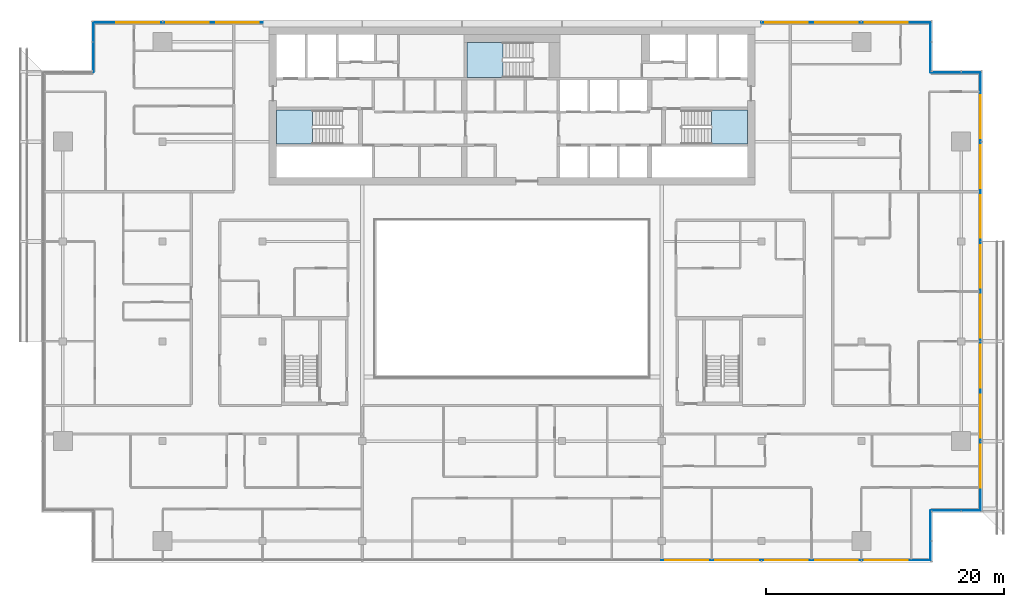
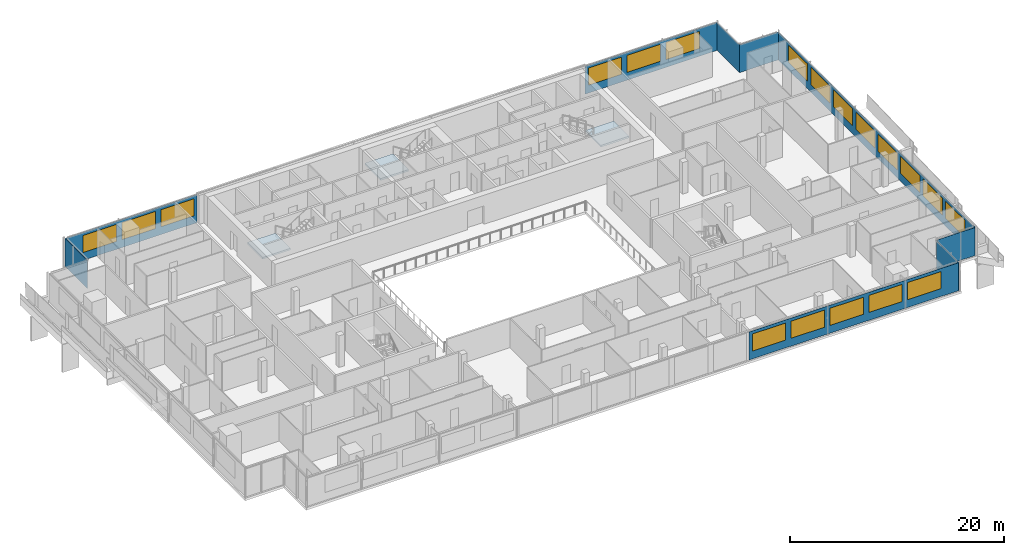
# One storey, part 15 of 28: 19 windows, 9 plates, 3 slabs, 19 openings, 11 elements without a shape of their own.
"""IFC4 building model written with IfcOpenShell, lengths in metres."""

from ifc_helpers import new_model, si_unit, direction, frame, frame_2d, origin, place, context, subcontext, project, spatial, polyline, rectangle, outline, extrude, material, layer, layer_set, type_object, element, fill, aggregate, save


model = new_model("IFC4")

# Units and contexts
model_context = context("Model", 3, precision=1e-05, world=origin(), true_north=direction((0.0, 1.0)))
body_context = subcontext(model_context, "Body", "Model", "MODEL_VIEW")
ifc_project = project(units=[si_unit("LENGTHUNIT", "METRE"), si_unit("AREAUNIT", "SQUARE_METRE"), si_unit("VOLUMEUNIT", "CUBIC_METRE"), si_unit("PLANEANGLEUNIT", "RADIAN"), si_unit("MASSUNIT", "GRAM", prefix="KILO")], contexts=[model_context])

# Site, building, storey
site_placement = place(None, origin())
site = spatial("IfcSite", under=ifc_project, at=site_placement, CompositionType="ELEMENT")
building_placement = place(site_placement, origin())
building = spatial("IfcBuilding", under=site, at=building_placement, Name="Saffron Gate Tower", CompositionType="ELEMENT")
storey_placement = place(building_placement, frame((0.0, 0.0, 241.5)))
storey = spatial("IfcBuildingStorey", under=building, at=storey_placement, Name="L59", CompositionType="ELEMENT", Elevation=241.5)

# Curtain wall, plate, openings, windows
ifc_material_1 = material(Name="Aluminium, bronze anodised", Category="aluminium")
curtain_wall_type_1 = type_object("IfcCurtainWallType", Name="CWS1 curtain wall front facade", PredefinedType="NOTDEFINED", material=ifc_material_1)
curtain_wall_1_placement = place(storey_placement, origin())
curtain_wall_1 = element("IfcCurtainWall", 1, at=curtain_wall_1_placement, inside=storey, type_object=curtain_wall_type_1, Name="CWS1 run 1", PredefinedType="NOTDEFINED")
ifc_material_2 = material(Name="Fritted bronze-tinted laminated glass", Category="glass")
ifc_layer_1 = layer(ifc_material_2, 0.028076171875)
ifc_layer_set_1 = layer_set([ifc_layer_1], Name="CWS1 fixed glass")
plate_type_1 = type_object("IfcPlateType", Name="CWS1 fixed glass", PredefinedType="CURTAIN_PANEL", material=ifc_layer_set_1)
plate_1_placement = place(storey_placement, frame((100.169921875, 30.174072265625, 0.0), z_axis=(0.0, 0.0, 1.0), x_axis=(1.0, 0.0, 0.0)))
plate_1 = element("IfcPlate", 2, at=plate_1_placement, type_object=plate_type_1, Name="CWS1 glass panel", PredefinedType="CURTAIN_PANEL", context=body_context, shape_type="SweptSolid", body=[
    extrude(rectangle(XDim=22.64208984375, YDim=0.028076171875, at=frame_2d((11.321044921875, 0.0))), origin(), (0.0, 0.0, 1.0), 3.199951171875),
])
opening_1_placement = place(plate_1_placement, frame((0.330078125, 0.0, 0.89990234375)))
opening_1 = element("IfcOpeningElement", 3, at=opening_1_placement, cuts=plate_1, Name="Opening W1", PredefinedType="OPENING", context=body_context, shape_type="SweptSolid", body=[
    extrude(rectangle(XDim=3.60009765625, YDim=1.949951171875, at=frame_2d((1.800048828125, 0.97509765625))), frame((0.0, 0.02392578125, 0.0), z_axis=(0.0, -1.0, 0.0), x_axis=(1.0, 0.0, 0.0)), (0.0, 0.0, 1.0), 0.048095703125),
])
opening_2_placement = place(plate_1_placement, frame((4.530029296875, 0.0, 0.89990234375)))
opening_2 = element("IfcOpeningElement", 4, at=opening_2_placement, cuts=plate_1, Name="Opening W1", PredefinedType="OPENING", context=body_context, shape_type="SweptSolid", body=[
    extrude(rectangle(XDim=3.60009765625, YDim=1.949951171875, at=frame_2d((1.800048828125, 0.97509765625))), frame((0.0, 0.02392578125, 0.0), z_axis=(0.0, -1.0, 0.0), x_axis=(1.0, 0.0, 0.0)), (0.0, 0.0, 1.0), 0.048095703125),
])
opening_3_placement = place(plate_1_placement, frame((8.72998046875, 0.0, 0.89990234375)))
opening_3 = element("IfcOpeningElement", 5, at=opening_3_placement, cuts=plate_1, Name="Opening W1", PredefinedType="OPENING", context=body_context, shape_type="SweptSolid", body=[
    extrude(rectangle(XDim=3.60009765625, YDim=1.949951171875, at=frame_2d((1.800048828125, 0.97509765625))), frame((0.0, 0.02392578125, 0.0), z_axis=(0.0, -1.0, 0.0), x_axis=(1.0, 0.0, 0.0)), (0.0, 0.0, 1.0), 0.048095703125),
])
opening_4_placement = place(plate_1_placement, frame((12.929931640625, 0.0, 0.89990234375)))
opening_4 = element("IfcOpeningElement", 6, at=opening_4_placement, cuts=plate_1, Name="Opening W1", PredefinedType="OPENING", context=body_context, shape_type="SweptSolid", body=[
    extrude(rectangle(XDim=3.60009765625, YDim=1.949951171875, at=frame_2d((1.800048828125, 0.97509765625))), frame((0.0, 0.02392578125, 0.0), z_axis=(0.0, -1.0, 0.0), x_axis=(1.0, 0.0, 0.0)), (0.0, 0.0, 1.0), 0.048095703125),
])
opening_5_placement = place(plate_1_placement, frame((17.1298828125, 0.0, 0.89990234375)))
opening_5 = element("IfcOpeningElement", 7, at=opening_5_placement, cuts=plate_1, Name="Opening W1", PredefinedType="OPENING", context=body_context, shape_type="SweptSolid", body=[
    extrude(rectangle(XDim=3.60009765625, YDim=1.949951171875, at=frame_2d((1.800048828125, 0.97509765625))), frame((0.0, 0.02392578125, 0.0), z_axis=(0.0, -1.0, 0.0), x_axis=(1.0, 0.0, 0.0)), (0.0, 0.0, 1.0), 0.048095703125),
])
ifc_material_3 = material(Name="Fritted bronze-tinted laminated glass in bronze frame", Category="glass")
ifc_layer_2 = layer(ifc_material_3, 0.06005859375)
ifc_layer_set_2 = layer_set([ifc_layer_2], Name="W1 operable panel 3600x1950")
window_type = type_object("IfcWindowType", Name="W1 operable panel 3600x1950", PartitioningType="DOUBLE_PANEL_HORIZONTAL", PredefinedType="WINDOW", material=ifc_layer_set_2)
window_1_placement = place(opening_1_placement, origin())
window_1 = element("IfcWindow", 8, at=window_1_placement, type_object=window_type, Name="W1 operable panel", OverallHeight=1.949951171875, OverallWidth=3.60009765625, PartitioningType="SINGLE_PANEL", PredefinedType="WINDOW", context=body_context, shape_type="SweptSolid", body=[
    extrude(rectangle(XDim=3.60009765625, YDim=1.949951171875, at=frame_2d((1.800048828125, 0.97509765625))), frame((0.0, 0.013671875, 0.0), z_axis=(0.0, -1.0, 0.0), x_axis=(1.0, 0.0, 0.0)), (0.0, 0.0, 1.0), 0.027587890625),
])
fill(opening_1, window_1)
window_2_placement = place(opening_2_placement, origin())
window_2 = element("IfcWindow", 9, at=window_2_placement, type_object=window_type, Name="W1 operable panel", OverallHeight=1.949951171875, OverallWidth=3.60009765625, PartitioningType="SINGLE_PANEL", PredefinedType="WINDOW", context=body_context, shape_type="SweptSolid", body=[
    extrude(rectangle(XDim=3.60009765625, YDim=1.949951171875, at=frame_2d((1.800048828125, 0.97509765625))), frame((0.0, 0.013671875, 0.0), z_axis=(0.0, -1.0, 0.0), x_axis=(1.0, 0.0, 0.0)), (0.0, 0.0, 1.0), 0.027587890625),
])
fill(opening_2, window_2)
window_3_placement = place(opening_3_placement, origin())
window_3 = element("IfcWindow", 10, at=window_3_placement, type_object=window_type, Name="W1 operable panel", OverallHeight=1.949951171875, OverallWidth=3.60009765625, PartitioningType="SINGLE_PANEL", PredefinedType="WINDOW", context=body_context, shape_type="SweptSolid", body=[
    extrude(rectangle(XDim=3.60009765625, YDim=1.949951171875, at=frame_2d((1.800048828125, 0.97509765625))), frame((0.0, 0.013671875, 0.0), z_axis=(0.0, -1.0, 0.0), x_axis=(1.0, 0.0, 0.0)), (0.0, 0.0, 1.0), 0.027587890625),
])
fill(opening_3, window_3)
window_4_placement = place(opening_4_placement, origin())
window_4 = element("IfcWindow", 11, at=window_4_placement, type_object=window_type, Name="W1 operable panel", OverallHeight=1.949951171875, OverallWidth=3.60009765625, PartitioningType="SINGLE_PANEL", PredefinedType="WINDOW", context=body_context, shape_type="SweptSolid", body=[
    extrude(rectangle(XDim=3.60009765625, YDim=1.949951171875, at=frame_2d((1.800048828125, 0.97509765625))), frame((0.0, 0.013671875, 0.0), z_axis=(0.0, -1.0, 0.0), x_axis=(1.0, 0.0, 0.0)), (0.0, 0.0, 1.0), 0.027587890625),
])
fill(opening_4, window_4)
window_5_placement = place(opening_5_placement, origin())
window_5 = element("IfcWindow", 12, at=window_5_placement, type_object=window_type, Name="W1 operable panel", OverallHeight=1.949951171875, OverallWidth=3.60009765625, PartitioningType="SINGLE_PANEL", PredefinedType="WINDOW", context=body_context, shape_type="SweptSolid", body=[
    extrude(rectangle(XDim=3.60009765625, YDim=1.949951171875, at=frame_2d((1.800048828125, 0.97509765625))), frame((0.0, 0.013671875, 0.0), z_axis=(0.0, -1.0, 0.0), x_axis=(1.0, 0.0, 0.0)), (0.0, 0.0, 1.0), 0.027587890625),
])
fill(opening_5, window_5)
aggregate(curtain_wall_1, [plate_1, window_1, window_2, window_3, window_4, window_5])

curtain_wall_type_2 = type_object("IfcCurtainWallType", Name="CWS2 curtain wall side facades", PredefinedType="NOTDEFINED", material=ifc_material_1)
curtain_wall_2_placement = place(storey_placement, origin())
curtain_wall_2 = element("IfcCurtainWall", 13, at=curtain_wall_2_placement, inside=storey, type_object=curtain_wall_type_2, Name="CWS2 run 4", PredefinedType="NOTDEFINED")
ifc_layer_3 = layer(ifc_material_2, 0.028076171875)
ifc_layer_set_3 = layer_set([ifc_layer_3], Name="CWS2 fixed glass")
plate_type_2 = type_object("IfcPlateType", Name="CWS2 fixed glass", PredefinedType="CURTAIN_PANEL", material=ifc_layer_set_3)
plate_2_placement = place(storey_placement, frame((127.02587890625, 34.387939453125, 0.0), z_axis=(0.0, 0.0, 1.0), x_axis=(0.0, 1.0, 0.0)))
plate_2 = element("IfcPlate", 14, at=plate_2_placement, type_object=plate_type_2, Name="CWS2 glass panel", PredefinedType="CURTAIN_PANEL", context=body_context, shape_type="SweptSolid", body=[
    extrude(rectangle(XDim=36.823974609375, YDim=0.028076171875, at=frame_2d((18.412109375, 0.0))), origin(), (0.0, 0.0, 1.0), 3.199951171875),
])
opening_6_placement = place(plate_2_placement, frame((1.912109375, 0.0, 0.89990234375)))
opening_6 = element("IfcOpeningElement", 15, at=opening_6_placement, cuts=plate_2, Name="Opening W1", PredefinedType="OPENING", context=body_context, shape_type="SweptSolid", body=[
    extrude(rectangle(XDim=3.60009765625, YDim=1.949951171875, at=frame_2d((1.800048828125, 0.97509765625))), frame((0.0, 0.02392578125, 0.0), z_axis=(0.0, -1.0, 0.0), x_axis=(1.0, 0.0, 0.0)), (0.0, 0.0, 1.0), 0.048095703125),
])
opening_7_placement = place(plate_2_placement, frame((6.112060546875, 0.0, 0.89990234375)))
opening_7 = element("IfcOpeningElement", 16, at=opening_7_placement, cuts=plate_2, Name="Opening W1", PredefinedType="OPENING", context=body_context, shape_type="SweptSolid", body=[
    extrude(rectangle(XDim=3.60009765625, YDim=1.949951171875, at=frame_2d((1.800048828125, 0.97509765625))), frame((0.0, 0.02392578125, 0.0), z_axis=(0.0, -1.0, 0.0), x_axis=(1.0, 0.0, 0.0)), (0.0, 0.0, 1.0), 0.048095703125),
])
opening_8_placement = place(plate_2_placement, frame((10.31201171875, 0.0, 0.89990234375)))
opening_8 = element("IfcOpeningElement", 17, at=opening_8_placement, cuts=plate_2, Name="Opening W1", PredefinedType="OPENING", context=body_context, shape_type="SweptSolid", body=[
    extrude(rectangle(XDim=3.60009765625, YDim=1.949951171875, at=frame_2d((1.800048828125, 0.97509765625))), frame((0.0, 0.02392578125, 0.0), z_axis=(0.0, -1.0, 0.0), x_axis=(1.0, 0.0, 0.0)), (0.0, 0.0, 1.0), 0.048095703125),
])
opening_9_placement = place(plate_2_placement, frame((14.511962890625, 0.0, 0.89990234375)))
opening_9 = element("IfcOpeningElement", 18, at=opening_9_placement, cuts=plate_2, Name="Opening W1", PredefinedType="OPENING", context=body_context, shape_type="SweptSolid", body=[
    extrude(rectangle(XDim=3.60009765625, YDim=1.949951171875, at=frame_2d((1.800048828125, 0.97509765625))), frame((0.0, 0.02392578125, 0.0), z_axis=(0.0, -1.0, 0.0), x_axis=(1.0, 0.0, 0.0)), (0.0, 0.0, 1.0), 0.048095703125),
])
opening_10_placement = place(plate_2_placement, frame((18.7119140625, 0.0, 0.89990234375)))
opening_10 = element("IfcOpeningElement", 19, at=opening_10_placement, cuts=plate_2, Name="Opening W1", PredefinedType="OPENING", context=body_context, shape_type="SweptSolid", body=[
    extrude(rectangle(XDim=3.60009765625, YDim=1.949951171875, at=frame_2d((1.800048828125, 0.97509765625))), frame((0.0, 0.02392578125, 0.0), z_axis=(0.0, -1.0, 0.0), x_axis=(1.0, 0.0, 0.0)), (0.0, 0.0, 1.0), 0.048095703125),
])
opening_11_placement = place(plate_2_placement, frame((22.912109375, 0.0, 0.89990234375)))
opening_11 = element("IfcOpeningElement", 20, at=opening_11_placement, cuts=plate_2, Name="Opening W1", PredefinedType="OPENING", context=body_context, shape_type="SweptSolid", body=[
    extrude(rectangle(XDim=3.60009765625, YDim=1.949951171875, at=frame_2d((1.800048828125, 0.97509765625))), frame((0.0, 0.02392578125, 0.0), z_axis=(0.0, -1.0, 0.0), x_axis=(1.0, 0.0, 0.0)), (0.0, 0.0, 1.0), 0.048095703125),
])
opening_12_placement = place(plate_2_placement, frame((27.112060546875, 0.0, 0.89990234375)))
opening_12 = element("IfcOpeningElement", 21, at=opening_12_placement, cuts=plate_2, Name="Opening W1", PredefinedType="OPENING", context=body_context, shape_type="SweptSolid", body=[
    extrude(rectangle(XDim=3.60009765625, YDim=1.949951171875, at=frame_2d((1.800048828125, 0.97509765625))), frame((0.0, 0.02392578125, 0.0), z_axis=(0.0, -1.0, 0.0), x_axis=(1.0, 0.0, 0.0)), (0.0, 0.0, 1.0), 0.048095703125),
])
opening_13_placement = place(plate_2_placement, frame((31.31201171875, 0.0, 0.89990234375)))
opening_13 = element("IfcOpeningElement", 22, at=opening_13_placement, cuts=plate_2, Name="Opening W1", PredefinedType="OPENING", context=body_context, shape_type="SweptSolid", body=[
    extrude(rectangle(XDim=3.60009765625, YDim=1.949951171875, at=frame_2d((1.800048828125, 0.97509765625))), frame((0.0, 0.02392578125, 0.0), z_axis=(0.0, -1.0, 0.0), x_axis=(1.0, 0.0, 0.0)), (0.0, 0.0, 1.0), 0.048095703125),
])
window_6_placement = place(opening_6_placement, origin())
window_6 = element("IfcWindow", 23, at=window_6_placement, type_object=window_type, Name="W1 operable panel", OverallHeight=1.949951171875, OverallWidth=3.60009765625, PartitioningType="SINGLE_PANEL", PredefinedType="WINDOW", context=body_context, shape_type="SweptSolid", body=[
    extrude(rectangle(XDim=3.60009765625, YDim=1.949951171875, at=frame_2d((1.800048828125, 0.97509765625))), frame((0.0, 0.013671875, 0.0), z_axis=(0.0, -1.0, 0.0), x_axis=(1.0, 0.0, 0.0)), (0.0, 0.0, 1.0), 0.027587890625),
])
fill(opening_6, window_6)
window_7_placement = place(opening_7_placement, origin())
window_7 = element("IfcWindow", 24, at=window_7_placement, type_object=window_type, Name="W1 operable panel", OverallHeight=1.949951171875, OverallWidth=3.60009765625, PartitioningType="SINGLE_PANEL", PredefinedType="WINDOW", context=body_context, shape_type="SweptSolid", body=[
    extrude(rectangle(XDim=3.60009765625, YDim=1.949951171875, at=frame_2d((1.800048828125, 0.97509765625))), frame((0.0, 0.013671875, 0.0), z_axis=(0.0, -1.0, 0.0), x_axis=(1.0, 0.0, 0.0)), (0.0, 0.0, 1.0), 0.027587890625),
])
fill(opening_7, window_7)
window_8_placement = place(opening_8_placement, origin())
window_8 = element("IfcWindow", 25, at=window_8_placement, type_object=window_type, Name="W1 operable panel", OverallHeight=1.949951171875, OverallWidth=3.60009765625, PartitioningType="SINGLE_PANEL", PredefinedType="WINDOW", context=body_context, shape_type="SweptSolid", body=[
    extrude(rectangle(XDim=3.60009765625, YDim=1.949951171875, at=frame_2d((1.800048828125, 0.97509765625))), frame((0.0, 0.013671875, 0.0), z_axis=(0.0, -1.0, 0.0), x_axis=(1.0, 0.0, 0.0)), (0.0, 0.0, 1.0), 0.027587890625),
])
fill(opening_8, window_8)
window_9_placement = place(opening_9_placement, origin())
window_9 = element("IfcWindow", 26, at=window_9_placement, type_object=window_type, Name="W1 operable panel", OverallHeight=1.949951171875, OverallWidth=3.60009765625, PartitioningType="SINGLE_PANEL", PredefinedType="WINDOW", context=body_context, shape_type="SweptSolid", body=[
    extrude(rectangle(XDim=3.60009765625, YDim=1.949951171875, at=frame_2d((1.800048828125, 0.97509765625))), frame((0.0, 0.013671875, 0.0), z_axis=(0.0, -1.0, 0.0), x_axis=(1.0, 0.0, 0.0)), (0.0, 0.0, 1.0), 0.027587890625),
])
fill(opening_9, window_9)
window_10_placement = place(opening_10_placement, origin())
window_10 = element("IfcWindow", 27, at=window_10_placement, type_object=window_type, Name="W1 operable panel", OverallHeight=1.949951171875, OverallWidth=3.60009765625, PartitioningType="SINGLE_PANEL", PredefinedType="WINDOW", context=body_context, shape_type="SweptSolid", body=[
    extrude(rectangle(XDim=3.60009765625, YDim=1.949951171875, at=frame_2d((1.800048828125, 0.97509765625))), frame((0.0, 0.013671875, 0.0), z_axis=(0.0, -1.0, 0.0), x_axis=(1.0, 0.0, 0.0)), (0.0, 0.0, 1.0), 0.027587890625),
])
fill(opening_10, window_10)
window_11_placement = place(opening_11_placement, origin())
window_11 = element("IfcWindow", 28, at=window_11_placement, type_object=window_type, Name="W1 operable panel", OverallHeight=1.949951171875, OverallWidth=3.60009765625, PartitioningType="SINGLE_PANEL", PredefinedType="WINDOW", context=body_context, shape_type="SweptSolid", body=[
    extrude(rectangle(XDim=3.60009765625, YDim=1.949951171875, at=frame_2d((1.800048828125, 0.97509765625))), frame((0.0, 0.013671875, 0.0), z_axis=(0.0, -1.0, 0.0), x_axis=(1.0, 0.0, 0.0)), (0.0, 0.0, 1.0), 0.027587890625),
])
fill(opening_11, window_11)
window_12_placement = place(opening_12_placement, origin())
window_12 = element("IfcWindow", 29, at=window_12_placement, type_object=window_type, Name="W1 operable panel", OverallHeight=1.949951171875, OverallWidth=3.60009765625, PartitioningType="SINGLE_PANEL", PredefinedType="WINDOW", context=body_context, shape_type="SweptSolid", body=[
    extrude(rectangle(XDim=3.60009765625, YDim=1.949951171875, at=frame_2d((1.800048828125, 0.97509765625))), frame((0.0, 0.013671875, 0.0), z_axis=(0.0, -1.0, 0.0), x_axis=(1.0, 0.0, 0.0)), (0.0, 0.0, 1.0), 0.027587890625),
])
fill(opening_12, window_12)
window_13_placement = place(opening_13_placement, origin())
window_13 = element("IfcWindow", 30, at=window_13_placement, type_object=window_type, Name="W1 operable panel", OverallHeight=1.949951171875, OverallWidth=3.60009765625, PartitioningType="SINGLE_PANEL", PredefinedType="WINDOW", context=body_context, shape_type="SweptSolid", body=[
    extrude(rectangle(XDim=3.60009765625, YDim=1.949951171875, at=frame_2d((1.800048828125, 0.97509765625))), frame((0.0, 0.013671875, 0.0), z_axis=(0.0, -1.0, 0.0), x_axis=(1.0, 0.0, 0.0)), (0.0, 0.0, 1.0), 0.027587890625),
])
fill(opening_13, window_13)
aggregate(curtain_wall_2, [plate_2, window_6, window_7, window_8, window_9, window_10, window_11, window_12, window_13])

# Curtain wall, plates, openings, windows
curtain_wall_type_3 = type_object("IfcCurtainWallType", Name="CWS3 curtain wall rear facade", PredefinedType="NOTDEFINED", material=ifc_material_1)
curtain_wall_3_placement = place(storey_placement, origin())
curtain_wall_3 = element("IfcCurtainWall", 31, at=curtain_wall_3_placement, inside=storey, type_object=curtain_wall_type_3, Name="CWS3 run 7", PredefinedType="NOTDEFINED")
ifc_material_4 = material(Name="Fritted grey-tinted laminated glass", Category="glass")
ifc_layer_4 = layer(ifc_material_4, 0.028076171875)
ifc_layer_set_4 = layer_set([ifc_layer_4], Name="CWS3 fixed glass")
plate_type_3 = type_object("IfcPlateType", Name="CWS3 fixed glass", PredefinedType="CURTAIN_PANEL", material=ifc_layer_set_4)
plate_3_placement = place(storey_placement, frame((122.81201171875, 75.426025390625, 0.0), z_axis=(0.0, 0.0, 1.0), x_axis=(-1.0, 0.0, 0.0)))
plate_3 = element("IfcPlate", 32, at=plate_3_placement, type_object=plate_type_3, Name="CWS3 glass panel", PredefinedType="CURTAIN_PANEL", context=body_context, shape_type="SweptSolid", body=[
    extrude(rectangle(XDim=14.2470703125, YDim=0.028076171875, at=frame_2d((7.12353515625, 0.0))), origin(), (0.0, 0.0, 1.0), 3.199951171875),
])
opening_14_placement = place(plate_3_placement, frame((1.912109375, 0.0, 0.89990234375)))
opening_14 = element("IfcOpeningElement", 33, at=opening_14_placement, cuts=plate_3, Name="Opening W1", PredefinedType="OPENING", context=body_context, shape_type="SweptSolid", body=[
    extrude(rectangle(XDim=3.60009765625, YDim=1.949951171875, at=frame_2d((1.800048828125, 0.97509765625))), frame((0.0, 0.02392578125, 0.0), z_axis=(0.0, -1.0, 0.0), x_axis=(1.0, 0.0, 0.0)), (0.0, 0.0, 1.0), 0.048095703125),
])
opening_15_placement = place(plate_3_placement, frame((6.112060546875, 0.0, 0.89990234375)))
opening_15 = element("IfcOpeningElement", 34, at=opening_15_placement, cuts=plate_3, Name="Opening W1", PredefinedType="OPENING", context=body_context, shape_type="SweptSolid", body=[
    extrude(rectangle(XDim=3.60009765625, YDim=1.949951171875, at=frame_2d((1.800048828125, 0.97509765625))), frame((0.0, 0.02392578125, 0.0), z_axis=(0.0, -1.0, 0.0), x_axis=(1.0, 0.0, 0.0)), (0.0, 0.0, 1.0), 0.048095703125),
])
opening_16_placement = place(plate_3_placement, frame((10.31201171875, 0.0, 0.89990234375)))
opening_16 = element("IfcOpeningElement", 35, at=opening_16_placement, cuts=plate_3, Name="Opening W1", PredefinedType="OPENING", context=body_context, shape_type="SweptSolid", body=[
    extrude(rectangle(XDim=3.60009765625, YDim=1.949951171875, at=frame_2d((1.800048828125, 0.97509765625))), frame((0.0, 0.02392578125, 0.0), z_axis=(0.0, -1.0, 0.0), x_axis=(1.0, 0.0, 0.0)), (0.0, 0.0, 1.0), 0.048095703125),
])
window_14_placement = place(opening_14_placement, origin())
window_14 = element("IfcWindow", 36, at=window_14_placement, type_object=window_type, Name="W1 operable panel", OverallHeight=1.949951171875, OverallWidth=3.60009765625, PartitioningType="SINGLE_PANEL", PredefinedType="WINDOW", context=body_context, shape_type="SweptSolid", body=[
    extrude(rectangle(XDim=3.60009765625, YDim=1.949951171875, at=frame_2d((1.800048828125, 0.97509765625))), frame((0.0, 0.013671875, 0.0), z_axis=(0.0, -1.0, 0.0), x_axis=(1.0, 0.0, 0.0)), (0.0, 0.0, 1.0), 0.027587890625),
])
fill(opening_14, window_14)
window_15_placement = place(opening_15_placement, origin())
window_15 = element("IfcWindow", 37, at=window_15_placement, type_object=window_type, Name="W1 operable panel", OverallHeight=1.949951171875, OverallWidth=3.60009765625, PartitioningType="SINGLE_PANEL", PredefinedType="WINDOW", context=body_context, shape_type="SweptSolid", body=[
    extrude(rectangle(XDim=3.60009765625, YDim=1.949951171875, at=frame_2d((1.800048828125, 0.97509765625))), frame((0.0, 0.013671875, 0.0), z_axis=(0.0, -1.0, 0.0), x_axis=(1.0, 0.0, 0.0)), (0.0, 0.0, 1.0), 0.027587890625),
])
fill(opening_15, window_15)
window_16_placement = place(opening_16_placement, origin())
window_16 = element("IfcWindow", 38, at=window_16_placement, type_object=window_type, Name="W1 operable panel", OverallHeight=1.949951171875, OverallWidth=3.60009765625, PartitioningType="SINGLE_PANEL", PredefinedType="WINDOW", context=body_context, shape_type="SweptSolid", body=[
    extrude(rectangle(XDim=3.60009765625, YDim=1.949951171875, at=frame_2d((1.800048828125, 0.97509765625))), frame((0.0, 0.013671875, 0.0), z_axis=(0.0, -1.0, 0.0), x_axis=(1.0, 0.0, 0.0)), (0.0, 0.0, 1.0), 0.027587890625),
])
fill(opening_16, window_16)
plate_4_placement = place(storey_placement, frame((66.635009765625, 75.426025390625, 0.0), z_axis=(0.0, 0.0, 1.0), x_axis=(-1.0, 0.0, 0.0)))
plate_4 = element("IfcPlate", 39, at=plate_4_placement, type_object=plate_type_3, Name="CWS3 glass panel", PredefinedType="CURTAIN_PANEL", context=body_context, shape_type="SweptSolid", body=[
    extrude(rectangle(XDim=14.2470703125, YDim=0.028076171875, at=frame_2d((7.12353515625, 0.0))), origin(), (0.0, 0.0, 1.0), 3.199951171875),
])
opening_17_placement = place(plate_4_placement, frame((0.3349609375, 0.0, 0.89990234375)))
opening_17 = element("IfcOpeningElement", 40, at=opening_17_placement, cuts=plate_4, Name="Opening W1", PredefinedType="OPENING", context=body_context, shape_type="SweptSolid", body=[
    extrude(rectangle(XDim=3.60009765625, YDim=1.949951171875, at=frame_2d((1.800048828125, 0.97509765625))), frame((0.0, 0.02392578125, 0.0), z_axis=(0.0, -1.0, 0.0), x_axis=(1.0, 0.0, 0.0)), (0.0, 0.0, 1.0), 0.048095703125),
])
opening_18_placement = place(plate_4_placement, frame((4.534912109375, 0.0, 0.89990234375)))
opening_18 = element("IfcOpeningElement", 41, at=opening_18_placement, cuts=plate_4, Name="Opening W1", PredefinedType="OPENING", context=body_context, shape_type="SweptSolid", body=[
    extrude(rectangle(XDim=3.60009765625, YDim=1.949951171875, at=frame_2d((1.800048828125, 0.97509765625))), frame((0.0, 0.02392578125, 0.0), z_axis=(0.0, -1.0, 0.0), x_axis=(1.0, 0.0, 0.0)), (0.0, 0.0, 1.0), 0.048095703125),
])
opening_19_placement = place(plate_4_placement, frame((8.735107421875, 0.0, 0.89990234375)))
opening_19 = element("IfcOpeningElement", 42, at=opening_19_placement, cuts=plate_4, Name="Opening W1", PredefinedType="OPENING", context=body_context, shape_type="SweptSolid", body=[
    extrude(rectangle(XDim=3.60009765625, YDim=1.949951171875, at=frame_2d((1.800048828125, 0.97509765625))), frame((0.0, 0.02392578125, 0.0), z_axis=(0.0, -1.0, 0.0), x_axis=(1.0, 0.0, 0.0)), (0.0, 0.0, 1.0), 0.048095703125),
])
window_17_placement = place(opening_17_placement, origin())
window_17 = element("IfcWindow", 43, at=window_17_placement, type_object=window_type, Name="W1 operable panel", OverallHeight=1.949951171875, OverallWidth=3.60009765625, PartitioningType="SINGLE_PANEL", PredefinedType="WINDOW", context=body_context, shape_type="SweptSolid", body=[
    extrude(rectangle(XDim=3.60009765625, YDim=1.949951171875, at=frame_2d((1.800048828125, 0.97509765625))), frame((0.0, 0.013671875, 0.0), z_axis=(0.0, -1.0, 0.0), x_axis=(1.0, 0.0, 0.0)), (0.0, 0.0, 1.0), 0.027587890625),
])
fill(opening_17, window_17)
window_18_placement = place(opening_18_placement, origin())
window_18 = element("IfcWindow", 44, at=window_18_placement, type_object=window_type, Name="W1 operable panel", OverallHeight=1.949951171875, OverallWidth=3.60009765625, PartitioningType="SINGLE_PANEL", PredefinedType="WINDOW", context=body_context, shape_type="SweptSolid", body=[
    extrude(rectangle(XDim=3.60009765625, YDim=1.949951171875, at=frame_2d((1.800048828125, 0.97509765625))), frame((0.0, 0.013671875, 0.0), z_axis=(0.0, -1.0, 0.0), x_axis=(1.0, 0.0, 0.0)), (0.0, 0.0, 1.0), 0.027587890625),
])
fill(opening_18, window_18)
window_19_placement = place(opening_19_placement, origin())
window_19 = element("IfcWindow", 45, at=window_19_placement, type_object=window_type, Name="W1 operable panel", OverallHeight=1.949951171875, OverallWidth=3.60009765625, PartitioningType="SINGLE_PANEL", PredefinedType="WINDOW", context=body_context, shape_type="SweptSolid", body=[
    extrude(rectangle(XDim=3.60009765625, YDim=1.949951171875, at=frame_2d((1.800048828125, 0.97509765625))), frame((0.0, 0.013671875, 0.0), z_axis=(0.0, -1.0, 0.0), x_axis=(1.0, 0.0, 0.0)), (0.0, 0.0, 1.0), 0.027587890625),
])
fill(opening_19, window_19)
aggregate(curtain_wall_3, [plate_3, plate_4, window_14, window_15, window_16, window_17, window_18, window_19])

# Curtain wall, plate
curtain_wall_type_4 = type_object("IfcCurtainWallType", Name="CWS4 curtain wall corner returns", PredefinedType="NOTDEFINED", material=ifc_material_1)
curtain_wall_4_placement = place(storey_placement, origin())
curtain_wall_4 = element("IfcCurtainWall", 46, at=curtain_wall_4_placement, inside=storey, type_object=curtain_wall_type_4, Name="CWS4 run 2", PredefinedType="NOTDEFINED")
ifc_layer_5 = layer(ifc_material_2, 0.028076171875)
ifc_layer_set_5 = layer_set([ifc_layer_5], Name="CWS4 fixed glass")
plate_type_4 = type_object("IfcPlateType", Name="CWS4 fixed glass", PredefinedType="CURTAIN_PANEL", material=ifc_layer_set_5)
plate_5_placement = place(storey_placement, frame((122.825927734375, 30.18798828125, 0.0), z_axis=(0.0, 0.0, 1.0), x_axis=(0.0, 1.0, 0.0)))
plate_5 = element("IfcPlate", 47, at=plate_5_placement, type_object=plate_type_4, Name="CWS4 glass panel", PredefinedType="CURTAIN_PANEL", context=body_context, shape_type="SweptSolid", body=[
    extrude(rectangle(XDim=4.172119140625, YDim=0.028076171875, at=frame_2d((2.0859375, 0.0))), origin(), (0.0, 0.0, 1.0), 3.199951171875),
])
aggregate(curtain_wall_4, [plate_5])

curtain_wall_5_placement = place(storey_placement, origin())
curtain_wall_5 = element("IfcCurtainWall", 48, at=curtain_wall_5_placement, inside=storey, type_object=curtain_wall_type_4, Name="CWS4 run 3", PredefinedType="NOTDEFINED")
plate_6_placement = place(storey_placement, frame((122.840087890625, 34.3740234375, 0.0), z_axis=(0.0, 0.0, 1.0), x_axis=(1.0, 0.0, 0.0)))
plate_6 = element("IfcPlate", 49, at=plate_6_placement, type_object=plate_type_4, Name="CWS4 glass panel", PredefinedType="CURTAIN_PANEL", context=body_context, shape_type="SweptSolid", body=[
    extrude(rectangle(XDim=4.171875, YDim=0.028076171875, at=frame_2d((2.0859375, 0.0))), origin(), (0.0, 0.0, 1.0), 3.199951171875),
])
aggregate(curtain_wall_5, [plate_6])

curtain_wall_6_placement = place(storey_placement, origin())
curtain_wall_6 = element("IfcCurtainWall", 50, at=curtain_wall_6_placement, inside=storey, type_object=curtain_wall_type_4, Name="CWS4 run 5", PredefinedType="NOTDEFINED")
plate_7_placement = place(storey_placement, frame((127.011962890625, 71.22607421875, 0.0), z_axis=(0.0, 0.0, 1.0), x_axis=(-1.0, 0.0, 0.0)))
plate_7 = element("IfcPlate", 51, at=plate_7_placement, type_object=plate_type_4, Name="CWS4 glass panel", PredefinedType="CURTAIN_PANEL", context=body_context, shape_type="SweptSolid", body=[
    extrude(rectangle(XDim=4.171875, YDim=0.028076171875, at=frame_2d((2.0859375, 0.0))), origin(), (0.0, 0.0, 1.0), 3.199951171875),
])
aggregate(curtain_wall_6, [plate_7])

curtain_wall_7_placement = place(storey_placement, origin())
curtain_wall_7 = element("IfcCurtainWall", 52, at=curtain_wall_7_placement, inside=storey, type_object=curtain_wall_type_4, Name="CWS4 run 6", PredefinedType="NOTDEFINED")
plate_8_placement = place(storey_placement, frame((122.825927734375, 71.239990234375, 0.0), z_axis=(0.0, 0.0, 1.0), x_axis=(0.0, 1.0, 0.0)))
plate_8 = element("IfcPlate", 53, at=plate_8_placement, type_object=plate_type_4, Name="CWS4 glass panel", PredefinedType="CURTAIN_PANEL", context=body_context, shape_type="SweptSolid", body=[
    extrude(rectangle(XDim=4.172119140625, YDim=0.028076171875, at=frame_2d((2.0859375, 0.0))), origin(), (0.0, 0.0, 1.0), 3.199951171875),
])
aggregate(curtain_wall_7, [plate_8])

curtain_wall_8_placement = place(storey_placement, origin())
curtain_wall_8 = element("IfcCurtainWall", 54, at=curtain_wall_8_placement, inside=storey, type_object=curtain_wall_type_4, Name="CWS4 run 8", PredefinedType="NOTDEFINED")
plate_9_placement = place(storey_placement, frame((52.3740234375, 75.412109375, 0.0), z_axis=(0.0, 0.0, 1.0), x_axis=(0.0, -1.0, 0.0)))
plate_9 = element("IfcPlate", 55, at=plate_9_placement, type_object=plate_type_4, Name="CWS4 glass panel", PredefinedType="CURTAIN_PANEL", context=body_context, shape_type="SweptSolid", body=[
    extrude(rectangle(XDim=4.172119140625, YDim=0.028076171875, at=frame_2d((2.0859375, 0.0))), origin(), (0.0, 0.0, 1.0), 3.199951171875),
])
aggregate(curtain_wall_8, [plate_9])

# Stair, slab
ifc_material_5 = material(Name="Concrete C40", Category="concrete")
stair_type = type_object("IfcStairType", Name="ST7 Stair 1350 wide, 20 risers of 180", PredefinedType="HALF_TURN_STAIR", material=ifc_material_5)
stair_1_placement = place(storey_placement, origin())
stair_1 = element("IfcStair", 56, at=stair_1_placement, inside=storey, type_object=stair_type, Name="L59 Exit stair A", PredefinedType="HALF_TURN_STAIR")
ifc_layer_6 = layer(ifc_material_5, 0.199951171875)
ifc_layer_set_6 = layer_set([ifc_layer_6], Name="SL1 Stair landing 200")
slab_type = type_object("IfcSlabType", Name="SL1 Stair landing 200", PredefinedType="LANDING", material=ifc_layer_set_6)
slab_1_placement = place(storey_placement, frame((0.0, 0.0, 1.60009765625)))
slab_1 = element("IfcSlab", 57, at=slab_1_placement, type_object=slab_type, Name="ST-A landing 1", PredefinedType="LANDING", context=body_context, shape_type="SweptSolid", body=[
    extrude(outline(polyline([(70.830078125, 68.050048828125), (67.800048828125, 68.050048828125), (67.800048828125, 65.199951171875), (70.830078125, 65.199951171875), (70.830078125, 68.050048828125)])), origin(), (0.0, 0.0, 1.0), 0.199951171875),
])
aggregate(stair_1, [slab_1])

stair_2_placement = place(storey_placement, origin())
stair_2 = element("IfcStair", 58, at=stair_2_placement, inside=storey, type_object=stair_type, Name="L59 Exit stair B", PredefinedType="HALF_TURN_STAIR")
slab_2_placement = place(storey_placement, frame((0.0, 0.0, 1.60009765625)))
slab_2 = element("IfcSlab", 59, at=slab_2_placement, type_object=slab_type, Name="ST-B landing 1", PredefinedType="LANDING", context=body_context, shape_type="SweptSolid", body=[
    extrude(outline(polyline([(104.3701171875, 65.199951171875), (107.39990234375, 65.199951171875), (107.39990234375, 68.050048828125), (104.3701171875, 68.050048828125), (104.3701171875, 65.199951171875)])), origin(), (0.0, 0.0, 1.0), 0.199951171875),
])
aggregate(stair_2, [slab_2])

stair_3_placement = place(storey_placement, origin())
stair_3 = element("IfcStair", 60, at=stair_3_placement, inside=storey, type_object=stair_type, Name="L59 Exit stair C", PredefinedType="HALF_TURN_STAIR")
slab_3_placement = place(storey_placement, frame((0.0, 0.0, 1.60009765625)))
slab_3 = element("IfcSlab", 61, at=slab_3_placement, type_object=slab_type, Name="ST-C landing 1", PredefinedType="LANDING", context=body_context, shape_type="SweptSolid", body=[
    extrude(outline(polyline([(86.830078125, 73.75), (83.800048828125, 73.75), (83.800048828125, 70.800048828125), (86.830078125, 70.800048828125), (86.830078125, 73.75)])), origin(), (0.0, 0.0, 1.0), 0.199951171875),
])
aggregate(stair_3, [slab_3])

save(model, "model.ifc")
